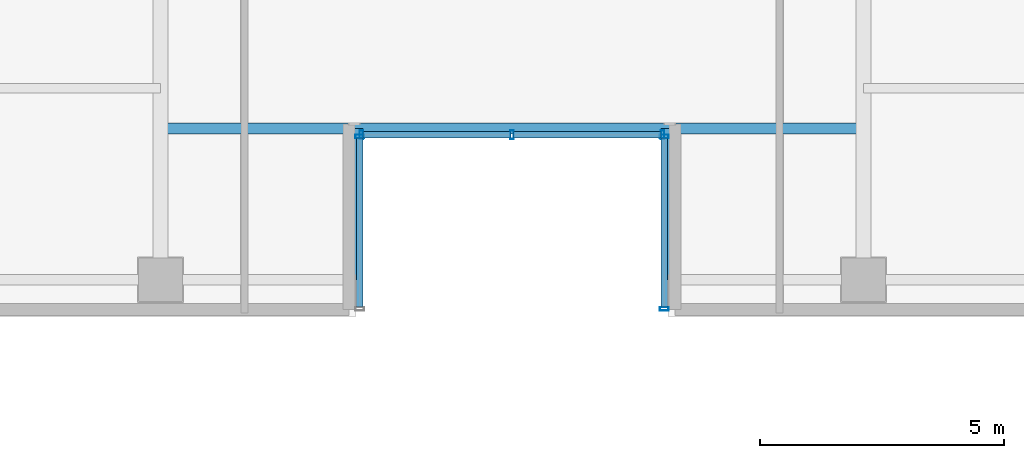
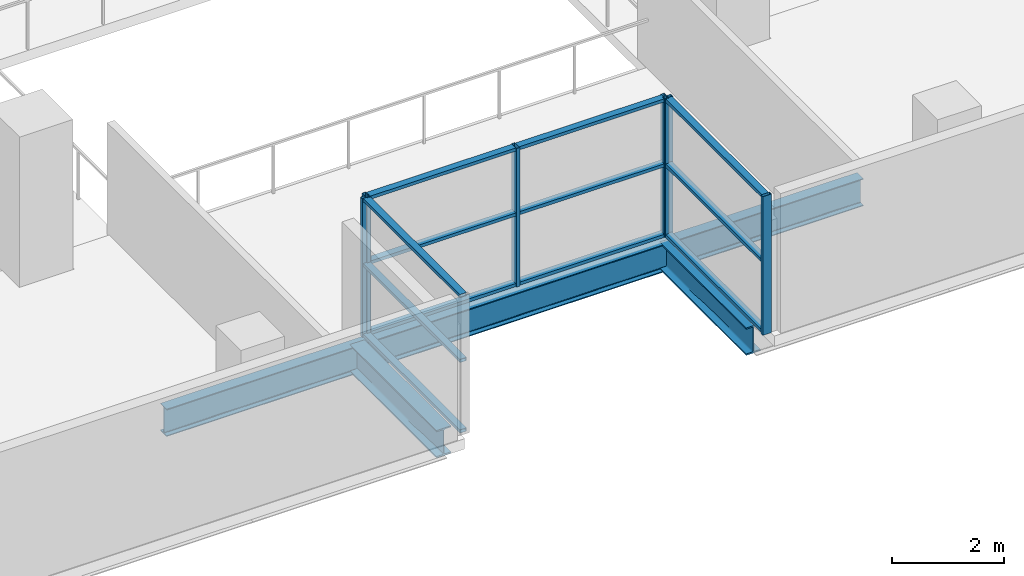
# One storey, part 6 of 27: 18 members, 3 beams, 3 elements without a shape of their own.
"""IFC4 building model written with IfcOpenShell, lengths in metres."""

from ifc_helpers import new_model, si_unit, direction, frame, origin, origin_2d, place, context, subcontext, project, spatial, hollow_rectangle, i_section, extrude, source, transform, mapped, material, layer, layer_set, material_profile, profile_set, type_object, element, aggregate, save


model = new_model("IFC4")

# Units and contexts
model_context = context("Model", 3, precision=1e-05, world=origin(), true_north=direction((0.0, 1.0)))
body_context = subcontext(model_context, "Body", "Model", "MODEL_VIEW")
ifc_project = project(units=[si_unit("LENGTHUNIT", "METRE"), si_unit("AREAUNIT", "SQUARE_METRE"), si_unit("VOLUMEUNIT", "CUBIC_METRE"), si_unit("PLANEANGLEUNIT", "RADIAN"), si_unit("MASSUNIT", "GRAM", prefix="KILO")], contexts=[model_context])

# Site, building, storey
site_placement = place(None, origin())
site = spatial("IfcSite", under=ifc_project, at=site_placement, CompositionType="ELEMENT")
building_placement = place(site_placement, origin())
building = spatial("IfcBuilding", under=site, at=building_placement, Name="Zarnakvel Exchange Tower", CompositionType="ELEMENT")
storey_placement = place(building_placement, frame((0.0, 0.0, 76.89990234375)))
storey = spatial("IfcBuildingStorey", under=building, at=storey_placement, Name="L21", CompositionType="ELEMENT", Elevation=76.89990234375)

# Beams
ifc_material_1 = material(Name="Steel S355", Category="steel")
ifc_material_profile_1 = material_profile(ifc_material_1, i_section(OverallWidth=0.300048828125, OverallDepth=0.60009765625, WebThickness=0.015380859375, FlangeThickness=0.030029296875, FilletRadius=0.027099609375, at=origin_2d()))
ifc_profile_set_1 = profile_set([ifc_material_profile_1], Name="Steel S355")
beam_type_1 = type_object("IfcBeamType", Name="G-04", PredefinedType="BEAM", material=ifc_profile_set_1)
for number, where, z_axis, x_axis, name in (
    (1, (-3.199951171875, -17.449951171875, -0.52490234375), (0.0, 1.0, 0.0), (-1.0, 0.0, 0.0), "L21 South Slot West Cheek Beam"),
    (2, (3.199951171875, -17.449951171875, -0.52490234375), (0.0, 1.0, 0.0), (-1.0, 0.0, 0.0), "L21 South Slot East Cheek Beam"),
):
    element("IfcBeam", number, at=place(storey_placement, frame(where, z_axis=z_axis, x_axis=x_axis)), inside=storey, type_object=beam_type_1, Name=name, PredefinedType="BEAM", context=body_context, shape_type="SweptSolid", body=[
        extrude(i_section(OverallWidth=0.300048828125, OverallDepth=0.60009765625, WebThickness=0.015380859375, FlangeThickness=0.030029296875, FilletRadius=0.027099609375, at=origin_2d()), origin(), (0.0, 0.0, 1.0), 3.099853515625),
    ])
ifc_material_profile_2 = material_profile(ifc_material_1, i_section(OverallWidth=0.219970703125, OverallDepth=0.60009765625, WebThickness=0.011962890625, FlangeThickness=0.01904296875, FilletRadius=0.02392578125, at=origin_2d()))
ifc_profile_set_2 = profile_set([ifc_material_profile_2], Name="Steel S355")
beam_type_2 = type_object("IfcBeamType", Name="SP-01", PredefinedType="SPANDREL", material=ifc_profile_set_2)
beam_placement = place(storey_placement, frame((-7.199951171875, -14.35009765625, -0.52490234375), z_axis=(1.0, 0.0, 0.0), x_axis=(0.0, 1.0, 0.0)))
element("IfcBeam", 3, at=beam_placement, inside=storey, type_object=beam_type_2, Name="L21 South Slot Head Trimmer Girder", PredefinedType="SPANDREL", context=body_context, shape_type="SweptSolid", body=[
    extrude(i_section(OverallWidth=0.219970703125, OverallDepth=0.60009765625, WebThickness=0.011962890625, FlangeThickness=0.01904296875, FilletRadius=0.02392578125, at=origin_2d()), origin(), (0.0, 0.0, 1.0), 14.39990234375),
])

# Curtain wall, members
ifc_material_2 = material(Name="Architectural Bronze Anodised Aluminium", Category="aluminium")
ifc_layer = layer(ifc_material_2, 0.179931640625)
ifc_layer_set = layer_set([ifc_layer], Name="Architectural Bronze Anodised Aluminium")
curtain_wall_type = type_object("IfcCurtainWallType", Name="CW-05", PredefinedType="NOTDEFINED", material=ifc_layer_set)
curtain_wall_1_placement = place(storey_placement, origin())
curtain_wall_1 = element("IfcCurtainWall", 4, at=curtain_wall_1_placement, inside=storey, type_object=curtain_wall_type, Name="L21 Curtain Wall CW-L21-SLW (CW-05)", PredefinedType="NOTDEFINED")
ifc_material_profile_3 = material_profile(ifc_material_2, hollow_rectangle(XDim=0.139892578125, YDim=0.070068359375, WallThickness=0.00390625, at=origin_2d()))
ifc_profile_set_3 = profile_set([ifc_material_profile_3], Name="Architectural Bronze Anodised Aluminium")
member_type_1 = type_object("IfcMemberType", Name="CWT-05", PredefinedType="USERDEFINED", material=ifc_profile_set_3)
shared_shape_1 = source(origin(), body_context, "Body", "SweptSolid", [
    extrude(hollow_rectangle(XDim=0.139892578125, YDim=0.070068359375, WallThickness=0.00390625, at=origin_2d()), origin(), (0.0, 0.0, 1.0), 3.4599609375),
])
member_1_placement = place(storey_placement, frame((-3.1201171875, -18.010009765625, 0.03515625), z_axis=(0.0, 1.0, 0.0), x_axis=(-1.0, 0.0, 0.0)))
member_1 = element("IfcMember", 5, at=member_1_placement, type_object=member_type_1, Name="CW-05 transom 1.1", ObjectType="TRANSOM", PredefinedType="USERDEFINED", context=body_context, shape_type="MappedRepresentation", body=[
    mapped(shared_shape_1, transform((0.0, 0.0, 0.0), x_axis=(1.0, 0.0, 0.0), y_axis=(0.0, 1.0, 0.0), z_axis=(0.0, 0.0, 1.0), scale=1.0)),
])
member_2_placement = place(storey_placement, frame((-3.1201171875, -18.010009765625, 1.57568359375), z_axis=(0.0, 1.0, 0.0), x_axis=(-1.0, 0.0, 0.0)))
member_2 = element("IfcMember", 6, at=member_2_placement, type_object=member_type_1, Name="CW-05 transom 1.2", ObjectType="TRANSOM", PredefinedType="USERDEFINED", context=body_context, shape_type="MappedRepresentation", body=[
    mapped(shared_shape_1, transform((0.0, 0.0, 0.0), x_axis=(1.0, 0.0, 0.0), y_axis=(0.0, 1.0, 0.0), z_axis=(0.0, 0.0, 1.0), scale=1.0)),
])
member_3_placement = place(storey_placement, frame((-3.1201171875, -18.010009765625, 2.9951171875), z_axis=(0.0, 1.0, 0.0), x_axis=(-1.0, 0.0, 0.0)))
member_3 = element("IfcMember", 7, at=member_3_placement, type_object=member_type_1, Name="CW-05 transom 1.3", ObjectType="TRANSOM", PredefinedType="USERDEFINED", context=body_context, shape_type="MappedRepresentation", body=[
    mapped(shared_shape_1, transform((0.0, 0.0, 0.0), x_axis=(1.0, 0.0, 0.0), y_axis=(0.0, 1.0, 0.0), z_axis=(0.0, 0.0, 1.0), scale=1.0)),
])

curtain_wall_2_placement = place(storey_placement, origin())
curtain_wall_2 = element("IfcCurtainWall", 8, at=curtain_wall_2_placement, inside=storey, type_object=curtain_wall_type, Name="L21 Curtain Wall CW-L21-SLE (CW-05)", PredefinedType="NOTDEFINED")
member_4_placement = place(storey_placement, frame((3.1201171875, -14.550048828125, 0.03515625), z_axis=(0.0, -1.0, 0.0), x_axis=(1.0, 0.0, 0.0)))
member_4 = element("IfcMember", 9, at=member_4_placement, type_object=member_type_1, Name="CW-05 transom 1.1", ObjectType="TRANSOM", PredefinedType="USERDEFINED", context=body_context, shape_type="MappedRepresentation", body=[
    mapped(shared_shape_1, transform((0.0, 0.0, 0.0), x_axis=(1.0, 0.0, 0.0), y_axis=(0.0, 1.0, 0.0), z_axis=(0.0, 0.0, 1.0), scale=1.0)),
])
member_5_placement = place(storey_placement, frame((3.1201171875, -14.550048828125, 1.57568359375), z_axis=(0.0, -1.0, 0.0), x_axis=(1.0, 0.0, 0.0)))
member_5 = element("IfcMember", 10, at=member_5_placement, type_object=member_type_1, Name="CW-05 transom 1.2", ObjectType="TRANSOM", PredefinedType="USERDEFINED", context=body_context, shape_type="MappedRepresentation", body=[
    mapped(shared_shape_1, transform((0.0, 0.0, 0.0), x_axis=(1.0, 0.0, 0.0), y_axis=(0.0, 1.0, 0.0), z_axis=(0.0, 0.0, 1.0), scale=1.0)),
])
member_6_placement = place(storey_placement, frame((3.1201171875, -14.550048828125, 2.9951171875), z_axis=(0.0, -1.0, 0.0), x_axis=(1.0, 0.0, 0.0)))
member_6 = element("IfcMember", 11, at=member_6_placement, type_object=member_type_1, Name="CW-05 transom 1.3", ObjectType="TRANSOM", PredefinedType="USERDEFINED", context=body_context, shape_type="MappedRepresentation", body=[
    mapped(shared_shape_1, transform((0.0, 0.0, 0.0), x_axis=(1.0, 0.0, 0.0), y_axis=(0.0, 1.0, 0.0), z_axis=(0.0, 0.0, 1.0), scale=1.0)),
])

curtain_wall_3_placement = place(storey_placement, origin())
curtain_wall_3 = element("IfcCurtainWall", 12, at=curtain_wall_3_placement, inside=storey, type_object=curtain_wall_type, Name="L21 Curtain Wall CW-L21-SLB (CW-05)", PredefinedType="NOTDEFINED")
shared_shape_2 = source(origin(), body_context, "Body", "SweptSolid", [
    extrude(hollow_rectangle(XDim=0.139892578125, YDim=0.070068359375, WallThickness=0.00390625, at=origin_2d()), origin(), (0.0, 0.0, 1.0), 3.01513671875),
])
member_7_placement = place(storey_placement, frame((-3.050048828125, -14.47998046875, 0.03515625), z_axis=(1.0, 0.0, 0.0), x_axis=(0.0, 1.0, 0.0)))
member_7 = element("IfcMember", 13, at=member_7_placement, type_object=member_type_1, Name="CW-05 transom 1.1", ObjectType="TRANSOM", PredefinedType="USERDEFINED", context=body_context, shape_type="MappedRepresentation", body=[
    mapped(shared_shape_2, transform((0.0, 0.0, 0.0), x_axis=(1.0, 0.0, 0.0), y_axis=(0.0, 1.0, 0.0), z_axis=(0.0, 0.0, 1.0), scale=1.0)),
])
member_8_placement = place(storey_placement, frame((-3.050048828125, -14.47998046875, 1.57568359375), z_axis=(1.0, 0.0, 0.0), x_axis=(0.0, 1.0, 0.0)))
member_8 = element("IfcMember", 14, at=member_8_placement, type_object=member_type_1, Name="CW-05 transom 1.2", ObjectType="TRANSOM", PredefinedType="USERDEFINED", context=body_context, shape_type="MappedRepresentation", body=[
    mapped(shared_shape_2, transform((0.0, 0.0, 0.0), x_axis=(1.0, 0.0, 0.0), y_axis=(0.0, 1.0, 0.0), z_axis=(0.0, 0.0, 1.0), scale=1.0)),
])
member_9_placement = place(storey_placement, frame((-3.050048828125, -14.47998046875, 2.9951171875), z_axis=(1.0, 0.0, 0.0), x_axis=(0.0, 1.0, 0.0)))
member_9 = element("IfcMember", 15, at=member_9_placement, type_object=member_type_1, Name="CW-05 transom 1.3", ObjectType="TRANSOM", PredefinedType="USERDEFINED", context=body_context, shape_type="MappedRepresentation", body=[
    mapped(shared_shape_2, transform((0.0, 0.0, 0.0), x_axis=(1.0, 0.0, 0.0), y_axis=(0.0, 1.0, 0.0), z_axis=(0.0, 0.0, 1.0), scale=1.0)),
])
member_10_placement = place(storey_placement, frame((0.034912109375, -14.47998046875, 0.03515625), z_axis=(1.0, 0.0, 0.0), x_axis=(0.0, 1.0, 0.0)))
member_10 = element("IfcMember", 16, at=member_10_placement, type_object=member_type_1, Name="CW-05 transom 2.1", ObjectType="TRANSOM", PredefinedType="USERDEFINED", context=body_context, shape_type="MappedRepresentation", body=[
    mapped(shared_shape_2, transform((0.0, 0.0, 0.0), x_axis=(1.0, 0.0, 0.0), y_axis=(0.0, 1.0, 0.0), z_axis=(0.0, 0.0, 1.0), scale=1.0)),
])
member_11_placement = place(storey_placement, frame((0.034912109375, -14.47998046875, 1.57568359375), z_axis=(1.0, 0.0, 0.0), x_axis=(0.0, 1.0, 0.0)))
member_11 = element("IfcMember", 17, at=member_11_placement, type_object=member_type_1, Name="CW-05 transom 2.2", ObjectType="TRANSOM", PredefinedType="USERDEFINED", context=body_context, shape_type="MappedRepresentation", body=[
    mapped(shared_shape_2, transform((0.0, 0.0, 0.0), x_axis=(1.0, 0.0, 0.0), y_axis=(0.0, 1.0, 0.0), z_axis=(0.0, 0.0, 1.0), scale=1.0)),
])
member_12_placement = place(storey_placement, frame((0.034912109375, -14.47998046875, 2.9951171875), z_axis=(1.0, 0.0, 0.0), x_axis=(0.0, 1.0, 0.0)))
member_12 = element("IfcMember", 18, at=member_12_placement, type_object=member_type_1, Name="CW-05 transom 2.3", ObjectType="TRANSOM", PredefinedType="USERDEFINED", context=body_context, shape_type="MappedRepresentation", body=[
    mapped(shared_shape_2, transform((0.0, 0.0, 0.0), x_axis=(1.0, 0.0, 0.0), y_axis=(0.0, 1.0, 0.0), z_axis=(0.0, 0.0, 1.0), scale=1.0)),
])

# Member
ifc_material_profile_4 = material_profile(ifc_material_2, hollow_rectangle(XDim=0.179931640625, YDim=0.070068359375, WallThickness=0.00390625, at=origin_2d()))
ifc_profile_set_4 = profile_set([ifc_material_profile_4], Name="Architectural Bronze Anodised Aluminium")
member_type_2 = type_object("IfcMemberType", Name="CWM-05", PredefinedType="MULLION", material=ifc_profile_set_4)
shared_shape_3 = source(origin(), body_context, "Body", "SweptSolid", [
    extrude(hollow_rectangle(XDim=0.179931640625, YDim=0.070068359375, WallThickness=0.00390625, at=origin_2d()), origin(), (0.0, 0.0, 1.0), 3.030029296875),
])
member_13_placement = place(storey_placement, frame((-3.1201171875, -14.514892578125, 0.0), z_axis=(0.0, 0.0, 1.0), x_axis=(-1.0, 0.0, 0.0)))
member_13 = element("IfcMember", 19, at=member_13_placement, type_object=member_type_2, Name="CW-05 mullion 2", PredefinedType="MULLION", context=body_context, shape_type="MappedRepresentation", body=[
    mapped(shared_shape_3, transform((0.0, 0.0, 0.0), x_axis=(1.0, 0.0, 0.0), y_axis=(0.0, 1.0, 0.0), z_axis=(0.0, 0.0, 1.0), scale=1.0)),
])

aggregate(curtain_wall_1, [member_13, member_1, member_2, member_3])

member_14_placement = place(storey_placement, frame((-3.0849609375, -14.47998046875, 0.0), z_axis=(0.0, 0.0, 1.0), x_axis=(0.0, 1.0, 0.0)))
member_14 = element("IfcMember", 20, at=member_14_placement, type_object=member_type_2, Name="CW-05 mullion 1", PredefinedType="MULLION", context=body_context, shape_type="MappedRepresentation", body=[
    mapped(shared_shape_3, transform((0.0, 0.0, 0.0), x_axis=(1.0, 0.0, 0.0), y_axis=(0.0, 1.0, 0.0), z_axis=(0.0, 0.0, 1.0), scale=1.0)),
])

member_15_placement = place(storey_placement, frame((0.0, -14.47998046875, 0.0), z_axis=(0.0, 0.0, 1.0), x_axis=(0.0, 1.0, 0.0)))
member_15 = element("IfcMember", 21, at=member_15_placement, type_object=member_type_2, Name="CW-05 mullion 2", PredefinedType="MULLION", context=body_context, shape_type="MappedRepresentation", body=[
    mapped(shared_shape_3, transform((0.0, 0.0, 0.0), x_axis=(1.0, 0.0, 0.0), y_axis=(0.0, 1.0, 0.0), z_axis=(0.0, 0.0, 1.0), scale=1.0)),
])

member_16_placement = place(storey_placement, frame((3.0849609375, -14.47998046875, 0.0), z_axis=(0.0, 0.0, 1.0), x_axis=(0.0, 1.0, 0.0)))
member_16 = element("IfcMember", 22, at=member_16_placement, type_object=member_type_2, Name="CW-05 mullion 3", PredefinedType="MULLION", context=body_context, shape_type="MappedRepresentation", body=[
    mapped(shared_shape_3, transform((0.0, 0.0, 0.0), x_axis=(1.0, 0.0, 0.0), y_axis=(0.0, 1.0, 0.0), z_axis=(0.0, 0.0, 1.0), scale=1.0)),
])

aggregate(curtain_wall_3, [member_14, member_15, member_16, member_7, member_8, member_9, member_10, member_11, member_12])

member_17_placement = place(storey_placement, frame((3.1201171875, -14.514892578125, 0.0), z_axis=(0.0, 0.0, 1.0), x_axis=(1.0, 0.0, 0.0)))
member_17 = element("IfcMember", 23, at=member_17_placement, type_object=member_type_2, Name="CW-05 mullion 1", PredefinedType="MULLION", context=body_context, shape_type="MappedRepresentation", body=[
    mapped(shared_shape_3, transform((0.0, 0.0, 0.0), x_axis=(1.0, 0.0, 0.0), y_axis=(0.0, 1.0, 0.0), z_axis=(0.0, 0.0, 1.0), scale=1.0)),
])

member_18_placement = place(storey_placement, frame((3.1201171875, -18.044921875, 0.0), z_axis=(0.0, 0.0, 1.0), x_axis=(1.0, 0.0, 0.0)))
member_18 = element("IfcMember", 24, at=member_18_placement, type_object=member_type_2, Name="CW-05 mullion 2", PredefinedType="MULLION", context=body_context, shape_type="MappedRepresentation", body=[
    mapped(shared_shape_3, transform((0.0, 0.0, 0.0), x_axis=(1.0, 0.0, 0.0), y_axis=(0.0, 1.0, 0.0), z_axis=(0.0, 0.0, 1.0), scale=1.0)),
])

aggregate(curtain_wall_2, [member_17, member_18, member_4, member_5, member_6])

save(model, "model.ifc")
